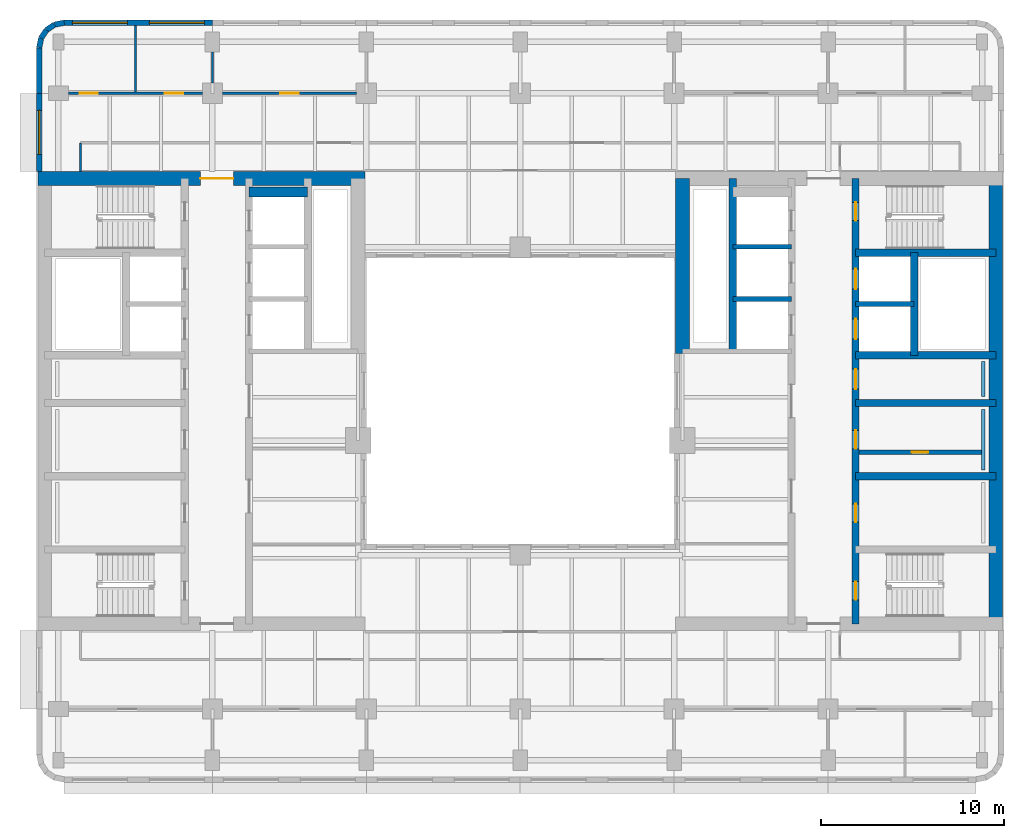
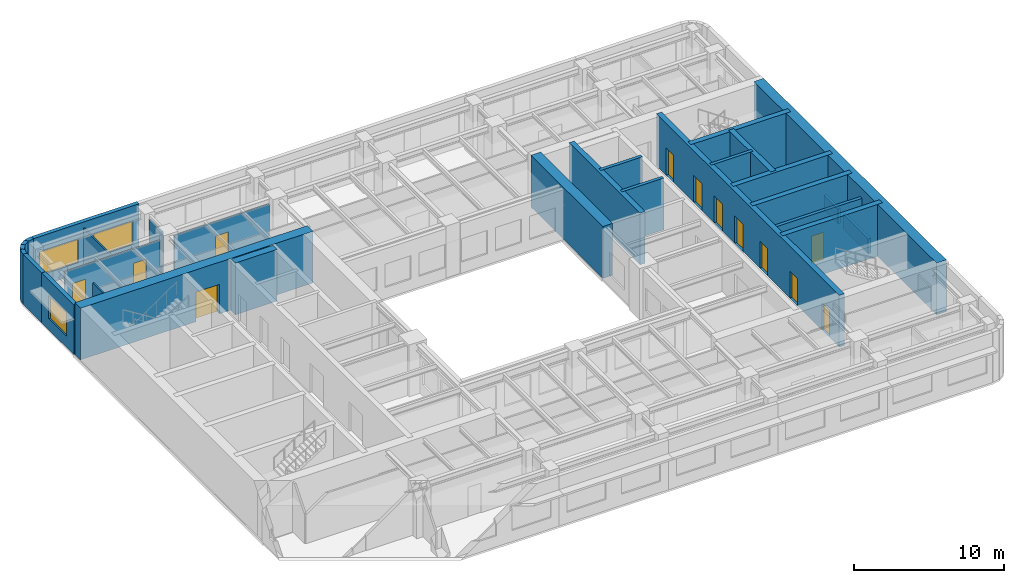
# One storey, part 6 of 11: 29 walls, 12 doors, 3 windows, 15 openings.
"""IFC4 building model written with IfcOpenShell, lengths in metres."""

import ifcopenshell
import ifcopenshell.guid

model = None  # the IFC model being written
_history = None  # IfcOwnerHistory: only IFC2X3 demands one
_inside = {}  # id of a spatial element -> (the spatial element, [elements in it])
_under = {}  # id of a project, library or spatial element -> (it, [spatial elements below it])
_declared = {}  # id of a project -> (the project, [libraries it declares])
_typed = {}  # id of a type object -> (the type object, [elements of that type])
_made_of = {}  # id of a material, layer set ... -> (it, [elements and type objects made of it])


def new_model(schema):
    """Start an empty IFC model of exactly this schema.

    Asked for "IFC4X3", IfcOpenShell would pick the latest addendum, in which some entities
    have other attributes; the version numbers below select the first issue.
    IFC2X3 requires an IfcOwnerHistory on every rooted entity: one is made here for all.
    """
    global model, _history
    if schema == "IFC4X3":
        model = ifcopenshell.file(schema_version=(4, 3, 0, 0))
    else:
        model = ifcopenshell.file(schema=schema)
    _inside.clear()
    _under.clear()
    _declared.clear()
    _typed.clear()
    _made_of.clear()
    _history = None
    if model.schema == "IFC2X3":
        org = make("IfcOrganization", Name="unknown")
        user = make(
            "IfcPersonAndOrganization",
            ThePerson=make("IfcPerson", FamilyName="unknown"),
            TheOrganization=org,
        )
        app = make(
            "IfcApplication",
            ApplicationDeveloper=org,
            Version="unknown",
            ApplicationFullName="unknown",
            ApplicationIdentifier="unknown",
        )
        _history = make(
            "IfcOwnerHistory",
            OwningUser=user,
            OwningApplication=app,
            ChangeAction="ADDED",
            CreationDate=0,
        )
    return model


def make(cls, **values):
    """One entity of the class cls with the attributes given. An attribute that is None is left unset."""
    return model.create_entity(
        cls, **{name: value for name, value in values.items() if value is not None}
    )


def rooted(cls, **values):
    """An entity with a GlobalId (a new one), such as an element, a storey or a relation."""
    return make(cls, GlobalId=ifcopenshell.guid.new(), OwnerHistory=_history, **values)


def si_unit(unit_type, name, prefix=None):
    """IfcSIUnit, for example si_unit("LENGTHUNIT", "METRE", prefix="MILLI")."""
    return make("IfcSIUnit", UnitType=unit_type, Prefix=prefix, Name=name)


def assignment(units):
    """IfcUnitAssignment: the units of a project."""
    return None if units is None else make("IfcUnitAssignment", Units=units)


def point(xyz):
    """IfcCartesianPoint."""
    return None if xyz is None else make("IfcCartesianPoint", Coordinates=xyz)


def direction(xyz):
    """IfcDirection."""
    return None if xyz is None else make("IfcDirection", DirectionRatios=xyz)


def frame(location, z_axis=None, x_axis=None):
    """IfcAxis2Placement3D, a coordinate frame: its origin and axes. An axis left out is left unset."""
    return make(
        "IfcAxis2Placement3D",
        Location=point(location),
        Axis=direction(z_axis),
        RefDirection=direction(x_axis),
    )


def frame_2d(location, x_axis=None):
    """IfcAxis2Placement2D, a coordinate frame in the plane: its origin and x axis."""
    return make(
        "IfcAxis2Placement2D", Location=point(location), RefDirection=direction(x_axis)
    )


def origin():
    """The frame at (0, 0, 0) with its axes left unset."""
    return frame((0.0, 0.0, 0.0))


def place(relative_to, where):
    """IfcLocalPlacement: puts the frame where relative to a parent placement (None: the world)."""
    return make(
        "IfcLocalPlacement", PlacementRelTo=relative_to, RelativePlacement=where
    )


def context(
    kind, dimensions, precision=None, world=None, true_north=None, identifier=None
):
    """IfcGeometricRepresentationContext, for example the 3D "Model" context."""
    return make(
        "IfcGeometricRepresentationContext",
        ContextIdentifier=identifier,
        ContextType=kind,
        CoordinateSpaceDimension=dimensions,
        Precision=precision,
        WorldCoordinateSystem=world,
        TrueNorth=true_north,
    )


def subcontext(parent, identifier, kind, view, scale=None):
    """IfcGeometricRepresentationSubContext, for example "Body" below "Model"."""
    return make(
        "IfcGeometricRepresentationSubContext",
        ContextIdentifier=identifier,
        ContextType=kind,
        ParentContext=parent,
        TargetScale=scale,
        TargetView=view,
    )


def project(units=None, contexts=None):
    """IfcProject with its units and contexts."""
    return rooted(
        "IfcProject",
        Name="project",
        RepresentationContexts=contexts,
        UnitsInContext=assignment(units),
    )


def spatial(cls, under=None, at=None, **own):
    """A site, building, storey or space (cls), placed at a placement, below another one or the project."""
    s = rooted(cls, ObjectPlacement=at, **own)
    if under is not None:
        _under.setdefault(under.id(), (under, []))[1].append(s)
    return s


def profile(cls, at=None, kind="AREA", **sizes):
    """A parametric profile (cls). Its sizes go by their IFC names, for example OverallWidth=200.0."""
    return make(cls, ProfileType=kind, Position=at, **sizes)


def rectangle(**sizes):
    """IfcRectangleProfileDef."""
    return profile("IfcRectangleProfileDef", **sizes)


def extrude(swept, where, along, depth):
    """IfcExtrudedAreaSolid: the profile swept, set in the frame where, extruded along a direction by depth."""
    return make(
        "IfcExtrudedAreaSolid",
        SweptArea=swept,
        Position=where,
        ExtrudedDirection=direction(along),
        Depth=depth,
    )


def shape(context_of_items, identifier, shape_type, items):
    """IfcShapeRepresentation: the items that make up one representation, for example the "Body"."""
    return make(
        "IfcShapeRepresentation",
        ContextOfItems=context_of_items,
        RepresentationIdentifier=identifier,
        RepresentationType=shape_type,
        Items=items,
    )


def material(Name=None, Category=None):
    """IfcMaterial."""
    return make("IfcMaterial", Name=Name, Category=Category)


def layer(
    of_material, thickness, ventilated=None, Name=None, Category=None, Priority=None
):
    """IfcMaterialLayer: one layer of a wall or slab, of a material (None: an air gap)."""
    return make(
        "IfcMaterialLayer",
        Material=of_material,
        LayerThickness=thickness,
        IsVentilated=ventilated,
        Name=Name,
        Category=Category,
        Priority=Priority,
    )


def layer_set(layers, Name=None):
    """IfcMaterialLayerSet."""
    return make("IfcMaterialLayerSet", MaterialLayers=layers, LayerSetName=Name)


def made_of(thing, what):
    """Note that an element or type object is made of a material, layer set ...; save() writes the relation."""
    if what is not None:
        _made_of.setdefault(what.id(), (what, []))[1].append(thing)
    return thing


def type_object(cls, material=None, **own):
    """A type object (cls), such as IfcWallType, which elements share."""
    return made_of(rooted(cls, **own), material)


def element(
    cls,
    number,
    at=None,
    inside=None,
    cuts=None,
    type_object=None,
    material=None,
    context=None,
    identifier="Body",
    shape_type=None,
    held_by="IfcProductDefinitionShape",
    body=None,
    shapes=None,
    **own,
):
    """One element of the class cls, such as IfcWall. Its Tag is "e" and its number.

    at: its placement. inside: the storey or other place that contains it. cuts: it is an
    opening in that element (IfcRelVoidsElement). A single representation is given by context,
    identifier, shape_type and body (its items); several are given by shapes. held_by: the class
    of the entity that holds the representations. save() writes the other relations.
    """
    e = rooted(cls, Tag="e%d" % number, ObjectPlacement=at, **own)
    if body is not None:
        shapes = [shape(context, identifier, shape_type, body)]
    if shapes is not None:
        e.Representation = make(held_by, Representations=shapes)
    if inside is not None:
        _inside.setdefault(inside.id(), (inside, []))[1].append(e)
    if cuts is not None:
        rooted(
            "IfcRelVoidsElement", RelatingBuildingElement=cuts, RelatedOpeningElement=e
        )
    if type_object is not None:
        _typed.setdefault(type_object.id(), (type_object, []))[1].append(e)
    return made_of(e, material)


def fill(opening, filler):
    """IfcRelFillsElement: the door or window that sits in an opening."""
    return rooted(
        "IfcRelFillsElement",
        RelatingOpeningElement=opening,
        RelatedBuildingElement=filler,
    )


def aggregate(whole, parts):
    """IfcRelAggregates: a whole, such as a stair, and the parts it consists of."""
    return rooted("IfcRelAggregates", RelatingObject=whole, RelatedObjects=parts)


def save(model, path):
    """Write the relations noted so far, then the file.

    IfcRelAggregates (storeys below a building ...), IfcRelContainedInSpatialStructure (elements
    in a storey), IfcRelDefinesByType, IfcRelAssociatesMaterial and IfcRelDeclares: one each for
    every whole, place, type object, material and project.
    """
    for whole, parts in _under.values():
        aggregate(whole, parts)
    for where, things in _inside.values():
        rooted(
            "IfcRelContainedInSpatialStructure",
            RelatedElements=things,
            RelatingStructure=where,
        )
    for kind, things in _typed.values():
        rooted("IfcRelDefinesByType", RelatedObjects=things, RelatingType=kind)
    for what, things in _made_of.values():
        rooted("IfcRelAssociatesMaterial", RelatedObjects=things, RelatingMaterial=what)
    for by, libraries in _declared.values():
        rooted("IfcRelDeclares", RelatingContext=by, RelatedDefinitions=libraries)
    model.write(path)


model = new_model("IFC4")

# Units and contexts
model_context = context("Model", 3, precision=1e-05, world=origin(), true_north=direction((0.0, 1.0)))
body_context = subcontext(model_context, "Body", "Model", "MODEL_VIEW")
ifc_project = project(units=[si_unit("LENGTHUNIT", "METRE"), si_unit("AREAUNIT", "SQUARE_METRE"), si_unit("VOLUMEUNIT", "CUBIC_METRE"), si_unit("PLANEANGLEUNIT", "RADIAN"), si_unit("MASSUNIT", "GRAM", prefix="KILO")], contexts=[model_context])

# Site, building, storey
site_placement = place(None, origin())
site = spatial("IfcSite", under=ifc_project, at=site_placement, CompositionType="ELEMENT")
building_placement = place(site_placement, origin())
building = spatial("IfcBuilding", under=site, at=building_placement, Name="Claustro Exchange Tower", CompositionType="ELEMENT")
storey_placement = place(building_placement, frame((0.0, 0.0, 186.0)))
storey = spatial("IfcBuildingStorey", under=building, at=storey_placement, Name="L42", CompositionType="ELEMENT", Elevation=186.0)

# Wall, openings, doors
ifc_material_1 = material(Name="Laminated glass in aluminium frame", Category="aluminium")
ifc_layer_1 = layer(ifc_material_1, 0.1201171875)
ifc_layer_set_1 = layer_set([ifc_layer_1], Name="Laminated glass in aluminium frame")
wall_type_1 = type_object("IfcWallType", Name="P2 120 glazed partition", PredefinedType="PARTITIONING", material=ifc_layer_set_1)
wall_1_placement = place(storey_placement, frame((0.549072265625, 42.0, 0.0), z_axis=(0.0, 0.0, 1.0), x_axis=(1.0, 0.0, 0.0)))
wall_1 = element("IfcWall", 1, at=wall_1_placement, inside=storey, type_object=wall_type_1, Name="Partition P2 L42", PredefinedType="PARTITIONING", context=body_context, shape_type="SweptSolid", body=[
    extrude(rectangle(XDim=7.302001953125, YDim=0.1201171875, at=frame_2d((3.65087890625, 0.0))), origin(), (0.0, 0.0, 1.0), 3.550048828125),
])
opening_1_placement = place(wall_1_placement, frame((0.60107421875, 0.0, 0.0)))
opening_1 = element("IfcOpeningElement", 2, at=opening_1_placement, cuts=wall_1, Name="Opening D7", PredefinedType="OPENING", context=body_context, shape_type="SweptSolid", body=[
    extrude(rectangle(XDim=1.0, YDim=2.39990234375, at=frame_2d((0.5, 1.199951171875))), frame((0.0, 0.070068359375, 0.0), z_axis=(0.0, -1.0, 0.0), x_axis=(1.0, 0.0, 0.0)), (0.0, 0.0, 1.0), 0.14013671875),
])
opening_2_placement = place(wall_1_placement, frame((5.2509765625, 0.0, 0.0)))
opening_2 = element("IfcOpeningElement", 3, at=opening_2_placement, cuts=wall_1, Name="Opening D7", PredefinedType="OPENING", context=body_context, shape_type="SweptSolid", body=[
    extrude(rectangle(XDim=1.0, YDim=2.39990234375, at=frame_2d((0.5, 1.199951171875))), frame((0.0, 0.070068359375, 0.0), z_axis=(0.0, -1.0, 0.0), x_axis=(1.0, 0.0, 0.0)), (0.0, 0.0, 1.0), 0.14013671875),
])
ifc_material_2 = material(Name="Glass door in aluminium frame", Category="aluminium")
door_type_1 = type_object("IfcDoorType", Name="D7 1000 x 2400 glazed door", OperationType="SINGLE_SWING_LEFT", PredefinedType="DOOR", material=ifc_material_2)
door_1_placement = place(opening_1_placement, origin())
door_1 = element("IfcDoor", 4, at=door_1_placement, inside=storey, type_object=door_type_1, Name="Door D7 L42", OperationType="SINGLE_SWING_RIGHT", OverallHeight=2.39990234375, OverallWidth=1.0, PredefinedType="DOOR", context=body_context, shape_type="SweptSolid", body=[
    extrude(rectangle(XDim=1.0, YDim=2.39990234375, at=frame_2d((0.5, 1.199951171875))), frame((0.0, 0.02490234375, 0.0), z_axis=(0.0, -1.0, 0.0), x_axis=(1.0, 0.0, 0.0)), (0.0, 0.0, 1.0), 0.050048828125),
])
fill(opening_1, door_1)
door_2_placement = place(opening_2_placement, origin())
door_2 = element("IfcDoor", 5, at=door_2_placement, inside=storey, type_object=door_type_1, Name="Door D7 L42", OperationType="SINGLE_SWING_RIGHT", OverallHeight=2.39990234375, OverallWidth=1.0, PredefinedType="DOOR", context=body_context, shape_type="SweptSolid", body=[
    extrude(rectangle(XDim=1.0, YDim=2.39990234375, at=frame_2d((0.5, 1.199951171875))), frame((0.0, 0.02490234375, 0.0), z_axis=(0.0, -1.0, 0.0), x_axis=(1.0, 0.0, 0.0)), (0.0, 0.0, 1.0), 0.050048828125),
])
fill(opening_2, door_2)

# Wall, opening, door
wall_2_placement = place(storey_placement, frame((8.948974609375, 42.0, 0.0), z_axis=(0.0, 0.0, 1.0), x_axis=(1.0, 0.0, 0.0)))
wall_2 = element("IfcWall", 6, at=wall_2_placement, inside=storey, type_object=wall_type_1, Name="Partition P2 L42", PredefinedType="PARTITIONING", context=body_context, shape_type="SweptSolid", body=[
    extrude(rectangle(XDim=7.302001953125, YDim=0.1201171875, at=frame_2d((3.65087890625, 0.0))), origin(), (0.0, 0.0, 1.0), 3.550048828125),
])
opening_3_placement = place(wall_2_placement, frame((3.15087890625, 0.0, 0.0)))
opening_3 = element("IfcOpeningElement", 7, at=opening_3_placement, cuts=wall_2, Name="Opening D7", PredefinedType="OPENING", context=body_context, shape_type="SweptSolid", body=[
    extrude(rectangle(XDim=1.0, YDim=2.39990234375, at=frame_2d((0.5, 1.199951171875))), frame((0.0, 0.070068359375, 0.0), z_axis=(0.0, -1.0, 0.0), x_axis=(1.0, 0.0, 0.0)), (0.0, 0.0, 1.0), 0.14013671875),
])
door_3_placement = place(opening_3_placement, origin())
door_3 = element("IfcDoor", 8, at=door_3_placement, inside=storey, type_object=door_type_1, Name="Door D7 L42", OperationType="SINGLE_SWING_LEFT", OverallHeight=2.39990234375, OverallWidth=1.0, PredefinedType="DOOR", context=body_context, shape_type="SweptSolid", body=[
    extrude(rectangle(XDim=1.0, YDim=2.39990234375, at=frame_2d((0.5, 1.199951171875))), frame((0.0, 0.02490234375, 0.0), z_axis=(0.0, -1.0, 0.0), x_axis=(1.0, 0.0, 0.0)), (0.0, 0.0, 1.0), 0.050048828125),
])
fill(opening_3, door_3)

# Walls
wall_3_placement = place(storey_placement, frame((4.199951171875, 42.05810546875, 0.0), z_axis=(0.0, 0.0, 1.0), x_axis=(0.0, 1.0, 0.0)))
element("IfcWall", 9, at=wall_3_placement, inside=storey, type_object=wall_type_1, Name="Partition P2 L42", PredefinedType="PARTITIONING", context=body_context, shape_type="SweptSolid", body=[
    extrude(rectangle(XDim=3.643798828125, YDim=0.1201171875, at=frame_2d((1.82177734375, 0.0))), origin(), (0.0, 0.0, 1.0), 3.550048828125),
])
wall_4_placement = place(storey_placement, frame((8.39990234375, 42.549072265625, 0.0), z_axis=(0.0, 0.0, 1.0), x_axis=(0.0, 1.0, 0.0)))
element("IfcWall", 10, at=wall_4_placement, inside=storey, type_object=wall_type_1, Name="Partition P2 L42", PredefinedType="PARTITIONING", context=body_context, shape_type="SweptSolid", body=[
    extrude(rectangle(XDim=1.701904296875, YDim=0.1201171875, at=frame_2d((0.85107421875, 0.0))), origin(), (0.0, 0.0, 1.0), 3.68994140625),
])
wall_5_placement = place(storey_placement, frame((1.199951171875, 37.72412109375, 0.0), z_axis=(0.0, 0.0, 1.0), x_axis=(0.0, 1.0, 0.0)))
element("IfcWall", 11, at=wall_5_placement, inside=storey, type_object=wall_type_1, Name="Partition P2 L42", PredefinedType="PARTITIONING", context=body_context, shape_type="SweptSolid", body=[
    extrude(rectangle(XDim=1.575927734375, YDim=0.1201171875, at=frame_2d((0.7880859375, 0.0))), origin(), (0.0, 0.0, 1.0), 4.050048828125),
])

# Wall, opening, door
ifc_material_3 = material(Name="Concrete blockwork, rendered", Category="masonry")
ifc_layer_2 = layer(ifc_material_3, 0.25)
ifc_layer_set_2 = layer_set([ifc_layer_2], Name="Concrete blockwork, rendered")
wall_type_2 = type_object("IfcWallType", Name="P4 250 blockwork wall", PredefinedType="PARTITIONING", material=ifc_layer_set_2)
wall_6_placement = place(storey_placement, frame((43.699951171875, 22.39990234375, 0.0), z_axis=(0.0, 0.0, 1.0), x_axis=(1.0, 0.0, 0.0)))
wall_6 = element("IfcWall", 12, at=wall_6_placement, inside=storey, type_object=wall_type_2, Name="Partition P4 L42", PredefinedType="PARTITIONING", context=body_context, shape_type="SweptSolid", body=[
    extrude(rectangle(XDim=6.675048828125, YDim=0.25, at=frame_2d((3.33740234375, 0.0))), origin(), (0.0, 0.0, 1.0), 4.0),
])
opening_4_placement = place(wall_6_placement, frame((2.862548828125, 0.0, 0.0)))
opening_4 = element("IfcOpeningElement", 13, at=opening_4_placement, cuts=wall_6, Name="Opening D5", PredefinedType="OPENING", context=body_context, shape_type="SweptSolid", body=[
    extrude(rectangle(XDim=0.89990234375, YDim=2.199951171875, at=frame_2d((0.449951171875, 1.10009765625))), frame((0.0, 0.135009765625, 0.0), z_axis=(0.0, -1.0, 0.0), x_axis=(1.0, 0.0, 0.0)), (0.0, 0.0, 1.0), 0.27001953125),
])
ifc_material_4 = material(Name="Steel door, painted", Category="steel")
door_type_2 = type_object("IfcDoorType", Name="D5 900 x 2200 store door", OperationType="SINGLE_SWING_LEFT", PredefinedType="DOOR", material=ifc_material_4)
door_4_placement = place(opening_4_placement, frame((0.89990234375, 0.0, 0.0), z_axis=(0.0, 0.0, 1.0), x_axis=(-1.0, 0.0, 0.0)))
door_4 = element("IfcDoor", 14, at=door_4_placement, inside=storey, type_object=door_type_2, Name="Store door D5 L42", OperationType="SINGLE_SWING_RIGHT", OverallHeight=2.199951171875, OverallWidth=0.89990234375, PredefinedType="DOOR", context=body_context, shape_type="SweptSolid", body=[
    extrude(rectangle(XDim=0.89990234375, YDim=2.199951171875, at=frame_2d((0.449951171875, 1.10009765625))), frame((0.0, 0.02490234375, 0.0), z_axis=(0.0, -1.0, 0.0), x_axis=(1.0, 0.0, 0.0)), (0.0, 0.0, 1.0), 0.050048828125),
])
fill(opening_4, door_4)

# Wall, opening, window
ifc_material_5 = material(Name="Concrete HA-40 (C40/50), precast, white cement, acid-etched", Category="concrete")
ifc_layer_3 = layer(ifc_material_5, 0.300048828125)
ifc_layer_set_3 = layer_set([ifc_layer_3], Name="Concrete HA-40 (C40/50), precast, white cement, acid-etched")
wall_type_3 = type_object("IfcWallType", Name="PC1 300 precast concrete pier panel", PredefinedType="SOLIDWALL", material=ifc_layer_set_3)
wall_7_placement = place(storey_placement, frame((-1.050048828125, 37.72509765625, 0.0), z_axis=(0.0, 0.0, 1.0), x_axis=(0.0, 1.0, 0.0)))
wall_7 = element("IfcWall", 15, at=wall_7_placement, inside=storey, type_object=wall_type_3, Name="Precast pier panel PC1 L42", PredefinedType="SOLIDWALL", context=body_context, shape_type="SweptSolid", body=[
    extrude(rectangle(XDim=4.27490234375, YDim=0.300048828125, at=frame_2d((2.137451171875, 0.0))), origin(), (0.0, 0.0, 1.0), 4.050048828125),
])
opening_5_placement = place(wall_7_placement, frame((0.9375, 0.0, 0.89990234375)))
opening_5 = element("IfcOpeningElement", 16, at=opening_5_placement, cuts=wall_7, Name="Opening W2", PredefinedType="OPENING", context=body_context, shape_type="SweptSolid", body=[
    extrude(rectangle(XDim=2.39990234375, YDim=1.89990234375, at=frame_2d((1.199951171875, 0.949951171875))), frame((0.0, 0.159912109375, 0.0), z_axis=(0.0, -1.0, 0.0), x_axis=(1.0, 0.0, 0.0)), (0.0, 0.0, 1.0), 0.320068359375),
])
ifc_material_6 = material(Name="Aluminium frame, clear double glazing", Category="aluminium")
window_type_1 = type_object("IfcWindowType", Name="W2 2400 x 1900 window", PartitioningType="SINGLE_PANEL", PredefinedType="WINDOW", material=ifc_material_6)
window_1_placement = place(opening_5_placement, origin())
window_1 = element("IfcWindow", 17, at=window_1_placement, inside=storey, type_object=window_type_1, Name="Window W2 L42", OverallHeight=1.89990234375, OverallWidth=2.39990234375, PartitioningType="SINGLE_PANEL", PredefinedType="WINDOW", context=body_context, shape_type="SweptSolid", body=[
    extrude(rectangle(XDim=2.39990234375, YDim=1.89990234375, at=frame_2d((1.199951171875, 0.949951171875))), frame((0.0, 0.030029296875, 0.0), z_axis=(0.0, -1.0, 0.0), x_axis=(1.0, 0.0, 0.0)), (0.0, 0.0, 1.0), 0.06005859375),
])
fill(opening_5, window_1)

# Walls
wall_8_placement = place(storey_placement, frame((-1.050048828125, 42.0, 0.0), z_axis=(0.0, 0.0, 1.0), x_axis=(0.0, 1.0, 0.0)))
element("IfcWall", 18, at=wall_8_placement, inside=storey, type_object=wall_type_3, Name="Precast pier panel PC1 L42", PredefinedType="SOLIDWALL", context=body_context, shape_type="SweptSolid", body=[
    extrude(rectangle(XDim=2.485107421875, YDim=0.300048828125, at=frame_2d((1.24267578125, 0.0))), origin(), (0.0, 0.0, 1.0), 4.050048828125),
])
wall_9_placement = place(storey_placement, frame((-1.050048828125, 44.485107421875, 0.0), z_axis=(0.0, 0.0, 1.0), x_axis=(0.195073962632, 0.980788534345, 0.0)))
element("IfcWall", 19, at=wall_9_placement, inside=storey, type_object=wall_type_3, Name="Precast pier panel PC1 L42", PredefinedType="SOLIDWALL", context=body_context, shape_type="SweptSolid", body=[
    extrude(rectangle(XDim=0.540771484375, YDim=0.300048828125, at=frame_2d((0.2705078125, 0.0))), origin(), (0.0, 0.0, 1.0), 4.050048828125),
])
wall_10_placement = place(storey_placement, frame((-0.944580078125, 45.015380859375, 0.0), z_axis=(0.0, 0.0, 1.0), x_axis=(0.55534295404, 0.831621430339, 0.0)))
element("IfcWall", 20, at=wall_10_placement, inside=storey, type_object=wall_type_3, Name="Precast pier panel PC1 L42", PredefinedType="SOLIDWALL", context=body_context, shape_type="SweptSolid", body=[
    extrude(rectangle(XDim=0.52587890625, YDim=0.300048828125, at=frame_2d((0.262939453125, 0.0))), origin(), (0.0, 0.0, 1.0), 4.050048828125),
])
wall_11_placement = place(storey_placement, frame((-0.652587890625, 45.45263671875, 0.0), z_axis=(0.0, 0.0, 1.0), x_axis=(0.831692711774, 0.555236195849, 0.0)))
element("IfcWall", 21, at=wall_11_placement, inside=storey, type_object=wall_type_3, Name="Precast pier panel PC1 L42", PredefinedType="SOLIDWALL", context=body_context, shape_type="SweptSolid", body=[
    extrude(rectangle(XDim=0.525390625, YDim=0.300048828125, at=frame_2d((0.2626953125, 0.0))), origin(), (0.0, 0.0, 1.0), 4.050048828125),
])
wall_12_placement = place(storey_placement, frame((-0.215576171875, 45.744384765625, 0.0), z_axis=(0.0, 0.0, 1.0), x_axis=(0.980702050465, 0.1955082817, 0.0)))
element("IfcWall", 22, at=wall_12_placement, inside=storey, type_object=wall_type_3, Name="Precast pier panel PC1 L42", PredefinedType="SOLIDWALL", context=body_context, shape_type="SweptSolid", body=[
    extrude(rectangle(XDim=0.540771484375, YDim=0.300048828125, at=frame_2d((0.2705078125, 0.0))), origin(), (0.0, 0.0, 1.0), 4.050048828125),
])

# Wall, openings, windows
wall_13_placement = place(storey_placement, frame((0.314697265625, 45.85009765625, 0.0), z_axis=(0.0, 0.0, 1.0), x_axis=(1.0, 0.0, 0.0)))
wall_13 = element("IfcWall", 23, at=wall_13_placement, inside=storey, type_object=wall_type_3, Name="Precast pier panel PC1 L42", PredefinedType="SOLIDWALL", context=body_context, shape_type="SweptSolid", body=[
    extrude(rectangle(XDim=8.085205078125, YDim=0.300048828125, at=frame_2d((4.04248046875, 0.0))), origin(), (0.0, 0.0, 1.0), 4.050048828125),
])
opening_6_placement = place(wall_13_placement, frame((0.442626953125, 0.0, 0.89990234375)))
opening_6 = element("IfcOpeningElement", 24, at=opening_6_placement, cuts=wall_13, Name="Opening W1", PredefinedType="OPENING", context=body_context, shape_type="SweptSolid", body=[
    extrude(rectangle(XDim=3.0, YDim=1.89990234375, at=frame_2d((1.5, 0.949951171875))), frame((0.0, 0.159912109375, 0.0), z_axis=(0.0, -1.0, 0.0), x_axis=(1.0, 0.0, 0.0)), (0.0, 0.0, 1.0), 0.320068359375),
])
opening_7_placement = place(wall_13_placement, frame((4.642578125, 0.0, 0.89990234375)))
opening_7 = element("IfcOpeningElement", 25, at=opening_7_placement, cuts=wall_13, Name="Opening W1", PredefinedType="OPENING", context=body_context, shape_type="SweptSolid", body=[
    extrude(rectangle(XDim=3.0, YDim=1.89990234375, at=frame_2d((1.5, 0.949951171875))), frame((0.0, 0.159912109375, 0.0), z_axis=(0.0, -1.0, 0.0), x_axis=(1.0, 0.0, 0.0)), (0.0, 0.0, 1.0), 0.320068359375),
])
ifc_material_7 = material(Name="Aluminium frame, clear double glazing", Category="aluminium")
window_type_2 = type_object("IfcWindowType", Name="W1 3000 x 1900 window", PartitioningType="SINGLE_PANEL", PredefinedType="WINDOW", material=ifc_material_7)
window_2_placement = place(opening_6_placement, origin())
window_2 = element("IfcWindow", 26, at=window_2_placement, inside=storey, type_object=window_type_2, Name="Window W1 L42", OverallHeight=1.89990234375, OverallWidth=3.0, PartitioningType="SINGLE_PANEL", PredefinedType="WINDOW", context=body_context, shape_type="SweptSolid", body=[
    extrude(rectangle(XDim=3.0, YDim=1.89990234375, at=frame_2d((1.5, 0.949951171875))), frame((0.0, 0.030029296875, 0.0), z_axis=(0.0, -1.0, 0.0), x_axis=(1.0, 0.0, 0.0)), (0.0, 0.0, 1.0), 0.06005859375),
])
fill(opening_6, window_2)
window_3_placement = place(opening_7_placement, origin())
window_3 = element("IfcWindow", 27, at=window_3_placement, inside=storey, type_object=window_type_2, Name="Window W1 L42", OverallHeight=1.89990234375, OverallWidth=3.0, PartitioningType="SINGLE_PANEL", PredefinedType="WINDOW", context=body_context, shape_type="SweptSolid", body=[
    extrude(rectangle(XDim=3.0, YDim=1.89990234375, at=frame_2d((1.5, 0.949951171875))), frame((0.0, 0.030029296875, 0.0), z_axis=(0.0, -1.0, 0.0), x_axis=(1.0, 0.0, 0.0)), (0.0, 0.0, 1.0), 0.06005859375),
])
fill(opening_7, window_3)

# Walls
ifc_material_8 = material(Name="Gypsum board on steel studs, tiled", Category="steel")
ifc_layer_4 = layer(ifc_material_8, 0.199951171875)
ifc_layer_set_4 = layer_set([ifc_layer_4], Name="Gypsum board on steel studs, tiled")
wall_type_4 = type_object("IfcWallType", Name="PW1 200 WC duct wall", PredefinedType="PLUMBINGWALL", material=ifc_layer_set_4)
wall_14_placement = place(storey_placement, frame((50.47509765625, 21.449951171875, 0.0), z_axis=(0.0, 0.0, 1.0), x_axis=(0.0, 1.0, 0.0)))
element("IfcWall", 28, at=wall_14_placement, inside=storey, type_object=wall_type_4, Name="WC duct wall PW1 L42", PredefinedType="PLUMBINGWALL", context=body_context, shape_type="SweptSolid", body=[
    extrude(rectangle(XDim=3.300048828125, YDim=0.199951171875, at=frame_2d((1.64990234375, 0.0))), origin(), (0.0, 0.0, 1.0), 1.199951171875),
])
wall_15_placement = place(storey_placement, frame((50.47509765625, 25.449951171875, 0.0), z_axis=(0.0, 0.0, 1.0), x_axis=(0.0, 1.0, 0.0)))
element("IfcWall", 29, at=wall_15_placement, inside=storey, type_object=wall_type_4, Name="WC duct wall PW1 L42", PredefinedType="PLUMBINGWALL", context=body_context, shape_type="SweptSolid", body=[
    extrude(rectangle(XDim=1.900146484375, YDim=0.199951171875, at=frame_2d((0.9501953125, 0.0))), origin(), (0.0, 0.0, 1.0), 1.199951171875),
])

# Wall, opening, door
ifc_material_9 = material(Name="Concrete HA-70 (C70/85)", Category="concrete")
ifc_layer_5 = layer(ifc_material_9, 0.75)
ifc_layer_set_5 = layer_set([ifc_layer_5], Name="Concrete HA-70 (C70/85)")
wall_type_5 = type_object("IfcWallType", Name="SW2 750 core shear wall", PredefinedType="SHEAR", material=ifc_layer_set_5)
wall_16_placement = place(storey_placement, frame((-1.125, 37.35009765625, 0.0), z_axis=(0.0, 0.0, 1.0), x_axis=(1.0, 0.0, 0.0)))
wall_16 = element("IfcWall", 30, at=wall_16_placement, inside=storey, type_object=wall_type_5, Name="Core wall SW2 W core N face L42", PredefinedType="SHEAR", context=body_context, shape_type="SweptSolid", body=[
    extrude(rectangle(XDim=17.85009765625, YDim=0.75, at=frame_2d((8.925048828125, 0.0))), origin(), (0.0, 0.0, 1.0), 4.199951171875),
])
opening_8_placement = place(wall_16_placement, frame((8.875, 0.0, 0.0)))
opening_8 = element("IfcOpeningElement", 31, at=opening_8_placement, cuts=wall_16, Name="Opening D3", PredefinedType="OPENING", context=body_context, shape_type="SweptSolid", body=[
    extrude(rectangle(XDim=1.800048828125, YDim=2.39990234375, at=frame_2d((0.89990234375, 1.199951171875))), frame((0.0, 0.385009765625, 0.0), z_axis=(0.0, -1.0, 0.0), x_axis=(1.0, 0.0, 0.0)), (0.0, 0.0, 1.0), 0.77001953125),
])
ifc_material_10 = material(Name="Steel fire door, painted", Category="steel")
door_type_3 = type_object("IfcDoorType", Name="D3 1800 x 2400 fire-rated lobby double door", OperationType="DOUBLE_DOOR_SINGLE_SWING", PredefinedType="DOOR", material=ifc_material_10)
door_5_placement = place(opening_8_placement, frame((1.800048828125, 0.0, 0.0), z_axis=(0.0, 0.0, 1.0), x_axis=(-1.0, 0.0, 0.0)))
door_5 = element("IfcDoor", 32, at=door_5_placement, inside=storey, type_object=door_type_3, Name="Lift lobby door D3 L42", OperationType="DOUBLE_DOOR_SINGLE_SWING", OverallHeight=2.39990234375, OverallWidth=1.800048828125, PredefinedType="DOOR", context=body_context, shape_type="SweptSolid", body=[
    extrude(rectangle(XDim=1.800048828125, YDim=2.39990234375, at=frame_2d((0.89990234375, 1.199951171875))), frame((0.0, 0.02490234375, 0.0), z_axis=(0.0, -1.0, 0.0), x_axis=(1.0, 0.0, 0.0)), (0.0, 0.0, 1.0), 0.050048828125),
])
fill(opening_8, door_5)

# Walls
ifc_material_11 = material(Name="Concrete HA-70 (C70/85)", Category="concrete")
ifc_layer_6 = layer(ifc_material_11, 0.75)
ifc_layer_set_6 = layer_set([ifc_layer_6], Name="Concrete HA-70 (C70/85)")
wall_type_6 = type_object("IfcWallType", Name="SW2X 750 exposed core shear wall, board-marked face", PredefinedType="SHEAR", material=ifc_layer_set_6)
wall_17_placement = place(storey_placement, frame((34.050048828125, 27.800048828125, 0.0), z_axis=(0.0, 0.0, 1.0), x_axis=(0.0, 1.0, 0.0)))
element("IfcWall", 33, at=wall_17_placement, inside=storey, type_object=wall_type_6, Name="Core wall SW2X E core W face L42", PredefinedType="SHEAR", context=body_context, shape_type="SweptSolid", body=[
    extrude(rectangle(XDim=9.550048828125, YDim=0.75, at=frame_2d((4.77490234375, 0.0))), origin(), (0.0, 0.0, 1.0), 4.199951171875),
])
wall_18_placement = place(storey_placement, frame((51.14990234375, 13.050048828125, 0.0), z_axis=(0.0, 0.0, 1.0), x_axis=(0.0, 1.0, 0.0)))
element("IfcWall", 34, at=wall_18_placement, inside=storey, type_object=wall_type_6, Name="Core wall SW2X E core E face L42", PredefinedType="SHEAR", context=body_context, shape_type="SweptSolid", body=[
    extrude(rectangle(XDim=24.300048828125, YDim=0.75, at=frame_2d((12.14990234375, 0.0))), origin(), (0.0, 0.0, 1.0), 4.199951171875),
])

# Wall, openings, doors
ifc_material_12 = material(Name="Concrete HA-50 (C50/60)", Category="concrete")
ifc_layer_7 = layer(ifc_material_12, 0.39990234375)
ifc_layer_set_7 = layer_set([ifc_layer_7], Name="Concrete HA-50 (C50/60)")
wall_type_7 = type_object("IfcWallType", Name="SW4 400 internal core wall", PredefinedType="SHEAR", material=ifc_layer_set_7)
wall_19_placement = place(storey_placement, frame((43.5, 13.050048828125, 0.0), z_axis=(0.0, 0.0, 1.0), x_axis=(0.0, 1.0, 0.0)))
wall_19 = element("IfcWall", 35, at=wall_19_placement, inside=storey, type_object=wall_type_7, Name="Internal core wall SW4 E core L42", PredefinedType="SHEAR", context=body_context, shape_type="SweptSolid", body=[
    extrude(rectangle(XDim=24.300048828125, YDim=0.39990234375, at=frame_2d((12.14990234375, 0.0))), origin(), (0.0, 0.0, 1.0), 4.199951171875),
])
opening_9_placement = place(wall_19_placement, frame((1.300048828125, 0.0, 0.0)))
opening_9 = element("IfcOpeningElement", 36, at=opening_9_placement, cuts=wall_19, Name="Opening D4", PredefinedType="OPENING", context=body_context, shape_type="SweptSolid", body=[
    extrude(rectangle(XDim=1.0, YDim=2.199951171875, at=frame_2d((0.5, 1.10009765625))), frame((0.0, 0.2099609375, 0.0), z_axis=(0.0, -1.0, 0.0), x_axis=(1.0, 0.0, 0.0)), (0.0, 0.0, 1.0), 0.419921875),
])
opening_10_placement = place(wall_19_placement, frame((22.0, 0.0, 0.0)))
opening_10 = element("IfcOpeningElement", 37, at=opening_10_placement, cuts=wall_19, Name="Opening D4", PredefinedType="OPENING", context=body_context, shape_type="SweptSolid", body=[
    extrude(rectangle(XDim=1.0, YDim=2.199951171875, at=frame_2d((0.5, 1.10009765625))), frame((0.0, 0.2099609375, 0.0), z_axis=(0.0, -1.0, 0.0), x_axis=(1.0, 0.0, 0.0)), (0.0, 0.0, 1.0), 0.419921875),
])
opening_11_placement = place(wall_19_placement, frame((5.550048828125, 0.0, 0.0)))
opening_11 = element("IfcOpeningElement", 38, at=opening_11_placement, cuts=wall_19, Name="Opening D1", PredefinedType="OPENING", context=body_context, shape_type="SweptSolid", body=[
    extrude(rectangle(XDim=1.0, YDim=2.199951171875, at=frame_2d((0.5, 1.10009765625))), frame((0.0, 0.2099609375, 0.0), z_axis=(0.0, -1.0, 0.0), x_axis=(1.0, 0.0, 0.0)), (0.0, 0.0, 1.0), 0.419921875),
])
opening_12_placement = place(wall_19_placement, frame((9.550048828125, 0.0, 0.0)))
opening_12 = element("IfcOpeningElement", 39, at=opening_12_placement, cuts=wall_19, Name="Opening D1", PredefinedType="OPENING", context=body_context, shape_type="SweptSolid", body=[
    extrude(rectangle(XDim=1.0, YDim=2.199951171875, at=frame_2d((0.5, 1.10009765625))), frame((0.0, 0.2099609375, 0.0), z_axis=(0.0, -1.0, 0.0), x_axis=(1.0, 0.0, 0.0)), (0.0, 0.0, 1.0), 0.419921875),
])
opening_13_placement = place(wall_19_placement, frame((12.800048828125, 0.0, 0.0)))
opening_13 = element("IfcOpeningElement", 40, at=opening_13_placement, cuts=wall_19, Name="Opening D10", PredefinedType="OPENING", context=body_context, shape_type="SweptSolid", body=[
    extrude(rectangle(XDim=1.10009765625, YDim=2.199951171875, at=frame_2d((0.550048828125, 1.10009765625))), frame((0.0, 0.2099609375, 0.0), z_axis=(0.0, -1.0, 0.0), x_axis=(1.0, 0.0, 0.0)), (0.0, 0.0, 1.0), 0.419921875),
])
opening_14_placement = place(wall_19_placement, frame((15.53759765625, 0.0, 0.0)))
opening_14 = element("IfcOpeningElement", 41, at=opening_14_placement, cuts=wall_19, Name="Opening LD", PredefinedType="OPENING", context=body_context, shape_type="SweptSolid", body=[
    extrude(rectangle(XDim=1.10009765625, YDim=2.199951171875, at=frame_2d((0.550048828125, 1.10009765625))), frame((0.0, 0.2099609375, 0.0), z_axis=(0.0, -1.0, 0.0), x_axis=(1.0, 0.0, 0.0)), (0.0, 0.0, 1.0), 0.419921875),
])
opening_15_placement = place(wall_19_placement, frame((18.262451171875, 0.0, 0.0)))
opening_15 = element("IfcOpeningElement", 42, at=opening_15_placement, cuts=wall_19, Name="Opening LD", PredefinedType="OPENING", context=body_context, shape_type="SweptSolid", body=[
    extrude(rectangle(XDim=1.10009765625, YDim=2.199951171875, at=frame_2d((0.550048828125, 1.10009765625))), frame((0.0, 0.2099609375, 0.0), z_axis=(0.0, -1.0, 0.0), x_axis=(1.0, 0.0, 0.0)), (0.0, 0.0, 1.0), 0.419921875),
])
ifc_material_13 = material(Name="Timber door, oak veneer", Category="wood")
door_type_4 = type_object("IfcDoorType", Name="D1 1000 x 2200 single door", OperationType="SINGLE_SWING_LEFT", PredefinedType="DOOR", material=ifc_material_13)
door_6_placement = place(opening_11_placement, frame((1.0, 0.0, 0.0), z_axis=(0.0, 0.0, 1.0), x_axis=(-1.0, 0.0, 0.0)))
door_6 = element("IfcDoor", 43, at=door_6_placement, inside=storey, type_object=door_type_4, Name="Door D1 L42", OperationType="SINGLE_SWING_LEFT", OverallHeight=2.199951171875, OverallWidth=1.0, PredefinedType="DOOR", context=body_context, shape_type="SweptSolid", body=[
    extrude(rectangle(XDim=1.0, YDim=2.199951171875, at=frame_2d((0.5, 1.10009765625))), frame((0.0, 0.02490234375, 0.0), z_axis=(0.0, -1.0, 0.0), x_axis=(1.0, 0.0, 0.0)), (0.0, 0.0, 1.0), 0.050048828125),
])
fill(opening_11, door_6)
door_7_placement = place(opening_12_placement, frame((1.0, 0.0, 0.0), z_axis=(0.0, 0.0, 1.0), x_axis=(-1.0, 0.0, 0.0)))
door_7 = element("IfcDoor", 44, at=door_7_placement, inside=storey, type_object=door_type_4, Name="Door D1 L42", OperationType="SINGLE_SWING_RIGHT", OverallHeight=2.199951171875, OverallWidth=1.0, PredefinedType="DOOR", context=body_context, shape_type="SweptSolid", body=[
    extrude(rectangle(XDim=1.0, YDim=2.199951171875, at=frame_2d((0.5, 1.10009765625))), frame((0.0, 0.02490234375, 0.0), z_axis=(0.0, -1.0, 0.0), x_axis=(1.0, 0.0, 0.0)), (0.0, 0.0, 1.0), 0.050048828125),
])
fill(opening_12, door_7)
ifc_material_14 = material(Name="Timber door, oak veneer", Category="wood")
door_type_5 = type_object("IfcDoorType", Name="D10 1100 x 2200 accessible WC door", OperationType="SINGLE_SWING_LEFT", PredefinedType="DOOR", material=ifc_material_14)
door_8_placement = place(opening_13_placement, origin())
door_8 = element("IfcDoor", 45, at=door_8_placement, inside=storey, type_object=door_type_5, Name="Accessible WC door D10 L42", OperationType="SINGLE_SWING_RIGHT", OverallHeight=2.199951171875, OverallWidth=1.10009765625, PredefinedType="DOOR", context=body_context, shape_type="SweptSolid", body=[
    extrude(rectangle(XDim=1.10009765625, YDim=2.199951171875, at=frame_2d((0.550048828125, 1.10009765625))), frame((0.0, 0.02490234375, 0.0), z_axis=(0.0, -1.0, 0.0), x_axis=(1.0, 0.0, 0.0)), (0.0, 0.0, 1.0), 0.050048828125),
])
fill(opening_13, door_8)
ifc_material_15 = material(Name="Steel fire door, painted", Category="steel")
door_type_6 = type_object("IfcDoorType", Name="D4 1000 x 2200 fire-rated stair door", OperationType="SINGLE_SWING_LEFT", PredefinedType="DOOR", material=ifc_material_15)
door_9_placement = place(opening_9_placement, frame((1.0, 0.0, 0.0), z_axis=(0.0, 0.0, 1.0), x_axis=(-1.0, 0.0, 0.0)))
door_9 = element("IfcDoor", 46, at=door_9_placement, inside=storey, type_object=door_type_6, Name="Stair door D4 L42", OperationType="SINGLE_SWING_RIGHT", OverallHeight=2.199951171875, OverallWidth=1.0, PredefinedType="DOOR", context=body_context, shape_type="SweptSolid", body=[
    extrude(rectangle(XDim=1.0, YDim=2.199951171875, at=frame_2d((0.5, 1.10009765625))), frame((0.0, 0.02490234375, 0.0), z_axis=(0.0, -1.0, 0.0), x_axis=(1.0, 0.0, 0.0)), (0.0, 0.0, 1.0), 0.050048828125),
])
fill(opening_9, door_9)
door_10_placement = place(opening_10_placement, frame((1.0, 0.0, 0.0), z_axis=(0.0, 0.0, 1.0), x_axis=(-1.0, 0.0, 0.0)))
door_10 = element("IfcDoor", 47, at=door_10_placement, inside=storey, type_object=door_type_6, Name="Stair door D4 L42", OperationType="SINGLE_SWING_LEFT", OverallHeight=2.199951171875, OverallWidth=1.0, PredefinedType="DOOR", context=body_context, shape_type="SweptSolid", body=[
    extrude(rectangle(XDim=1.0, YDim=2.199951171875, at=frame_2d((0.5, 1.10009765625))), frame((0.0, 0.02490234375, 0.0), z_axis=(0.0, -1.0, 0.0), x_axis=(1.0, 0.0, 0.0)), (0.0, 0.0, 1.0), 0.050048828125),
])
fill(opening_10, door_10)
ifc_material_16 = material(Name="Stainless steel sliding door", Category="steel")
door_type_7 = type_object("IfcDoorType", Name="LD 1100 x 2200 lift landing door", OperationType="DOUBLE_DOOR_SLIDING", PredefinedType="DOOR", material=ifc_material_16)
door_11_placement = place(opening_14_placement, origin())
door_11 = element("IfcDoor", 48, at=door_11_placement, inside=storey, type_object=door_type_7, Name="Lift landing door LEE1 LD L42", OperationType="DOUBLE_DOOR_SLIDING", OverallHeight=2.199951171875, OverallWidth=1.10009765625, PredefinedType="DOOR", context=body_context, shape_type="SweptSolid", body=[
    extrude(rectangle(XDim=1.10009765625, YDim=2.199951171875, at=frame_2d((0.550048828125, 1.10009765625))), frame((0.0, 0.02490234375, 0.0), z_axis=(0.0, -1.0, 0.0), x_axis=(1.0, 0.0, 0.0)), (0.0, 0.0, 1.0), 0.050048828125),
])
fill(opening_14, door_11)
door_12_placement = place(opening_15_placement, origin())
door_12 = element("IfcDoor", 49, at=door_12_placement, inside=storey, type_object=door_type_7, Name="Lift landing door LEE2 LD L42", OperationType="DOUBLE_DOOR_SLIDING", OverallHeight=2.199951171875, OverallWidth=1.10009765625, PredefinedType="DOOR", context=body_context, shape_type="SweptSolid", body=[
    extrude(rectangle(XDim=1.10009765625, YDim=2.199951171875, at=frame_2d((0.550048828125, 1.10009765625))), frame((0.0, 0.02490234375, 0.0), z_axis=(0.0, -1.0, 0.0), x_axis=(1.0, 0.0, 0.0)), (0.0, 0.0, 1.0), 0.050048828125),
])
fill(opening_15, door_12)

# Walls
wall_20_placement = place(storey_placement, frame((36.800048828125, 27.925048828125, 0.0), z_axis=(0.0, 0.0, 1.0), x_axis=(0.0, 1.0, 0.0)))
element("IfcWall", 50, at=wall_20_placement, inside=storey, type_object=wall_type_7, Name="Internal core wall SW4 E core L42", PredefinedType="SHEAR", context=body_context, shape_type="SweptSolid", body=[
    extrude(rectangle(XDim=9.425048828125, YDim=0.39990234375, at=frame_2d((4.71240234375, 0.0))), origin(), (0.0, 0.0, 1.0), 4.199951171875),
])
for number, where, z_axis, x_axis, name in (
    (51, (51.14990234375, 21.10009765625, 0.0), (0.0, 0.0, 1.0), (-1.0, 0.0, 0.0), "Internal core wall SW4 E core L42"),
    (52, (51.14990234375, 25.10009765625, 0.0), (0.0, 0.0, 1.0), (-1.0, 0.0, 0.0), "Internal core wall SW4 E core L42"),
    (53, (51.14990234375, 27.699951171875, 0.0), (0.0, 0.0, 1.0), (-1.0, 0.0, 0.0), "Internal core wall SW4 E core L42"),
    (54, (51.14990234375, 33.300048828125, 0.0), (0.0, 0.0, 1.0), (-1.0, 0.0, 0.0), "Internal core wall SW4 E core L42"),
):
    element("IfcWall", number, at=place(storey_placement, frame(where, z_axis=z_axis, x_axis=x_axis)), inside=storey, type_object=wall_type_7, Name=name, PredefinedType="SHEAR", context=body_context, shape_type="SweptSolid", body=[
        extrude(rectangle(XDim=7.64990234375, YDim=0.39990234375, at=frame_2d((3.824951171875, 0.0))), origin(), (0.0, 0.0, 1.0), 4.199951171875),
    ])
wall_21_placement = place(storey_placement, frame((46.699951171875, 27.699951171875, 0.0), z_axis=(0.0, 0.0, 1.0), x_axis=(0.0, 1.0, 0.0)))
element("IfcWall", 55, at=wall_21_placement, inside=storey, type_object=wall_type_7, Name="Internal core wall SW4 E core L42", PredefinedType="SHEAR", context=body_context, shape_type="SweptSolid", body=[
    extrude(rectangle(XDim=5.60009765625, YDim=0.39990234375, at=frame_2d((2.800048828125, 0.0))), origin(), (0.0, 0.0, 1.0), 4.199951171875),
])
ifc_material_17 = material(Name="Concrete HA-50 (C50/60)", Category="concrete")
ifc_layer_8 = layer(ifc_material_17, 0.25)
ifc_layer_set_8 = layer_set([ifc_layer_8], Name="Concrete HA-50 (C50/60)")
wall_type_8 = type_object("IfcWallType", Name="SW5 250 lift shaft divider wall", PredefinedType="SHEAR", material=ifc_layer_set_8)
for number, where, z_axis, x_axis, name in (
    (56, (46.699951171875, 30.5, 0.0), (0.0, 0.0, 1.0), (-1.0, 0.0, 0.0), "Lift shaft wall E core L42"),
    (57, (40.0, 30.77490234375, 0.0), (0.0, 0.0, 1.0), (-1.0, 0.0, 0.0), "Lift shaft wall E core L42"),
    (58, (40.0, 33.625, 0.0), (0.0, 0.0, 1.0), (-1.0, 0.0, 0.0), "Lift shaft wall E core L42"),
):
    element("IfcWall", number, at=place(storey_placement, frame(where, z_axis=z_axis, x_axis=x_axis)), inside=storey, type_object=wall_type_8, Name=name, PredefinedType="SHEAR", context=body_context, shape_type="SweptSolid", body=[
        extrude(rectangle(XDim=3.199951171875, YDim=0.25, at=frame_2d((1.60009765625, 0.0))), origin(), (0.0, 0.0, 1.0), 4.199951171875),
    ])
ifc_material_18 = material(Name="Concrete HA-50 (C50/60)", Category="concrete")
ifc_layer_9 = layer(ifc_material_18, 0.550048828125)
ifc_layer_set_9 = layer_set([ifc_layer_9], Name="Concrete HA-50 (C50/60)")
wall_type_9 = type_object("IfcWallType", Name="SW6 550 lift shaft end wall", PredefinedType="SHEAR", material=ifc_layer_set_9)
wall_22_placement = place(storey_placement, frame((10.39990234375, 36.625, 0.0), z_axis=(0.0, 0.0, 1.0), x_axis=(1.0, 0.0, 0.0)))
element("IfcWall", 59, at=wall_22_placement, inside=storey, type_object=wall_type_9, Name="Lift shaft wall W core L42", PredefinedType="SHEAR", context=body_context, shape_type="SweptSolid", body=[
    extrude(rectangle(XDim=3.2001953125, YDim=0.550048828125, at=frame_2d((1.60009765625, 0.0))), origin(), (0.0, 0.0, 1.0), 4.199951171875),
])

save(model, "model.ifc")
